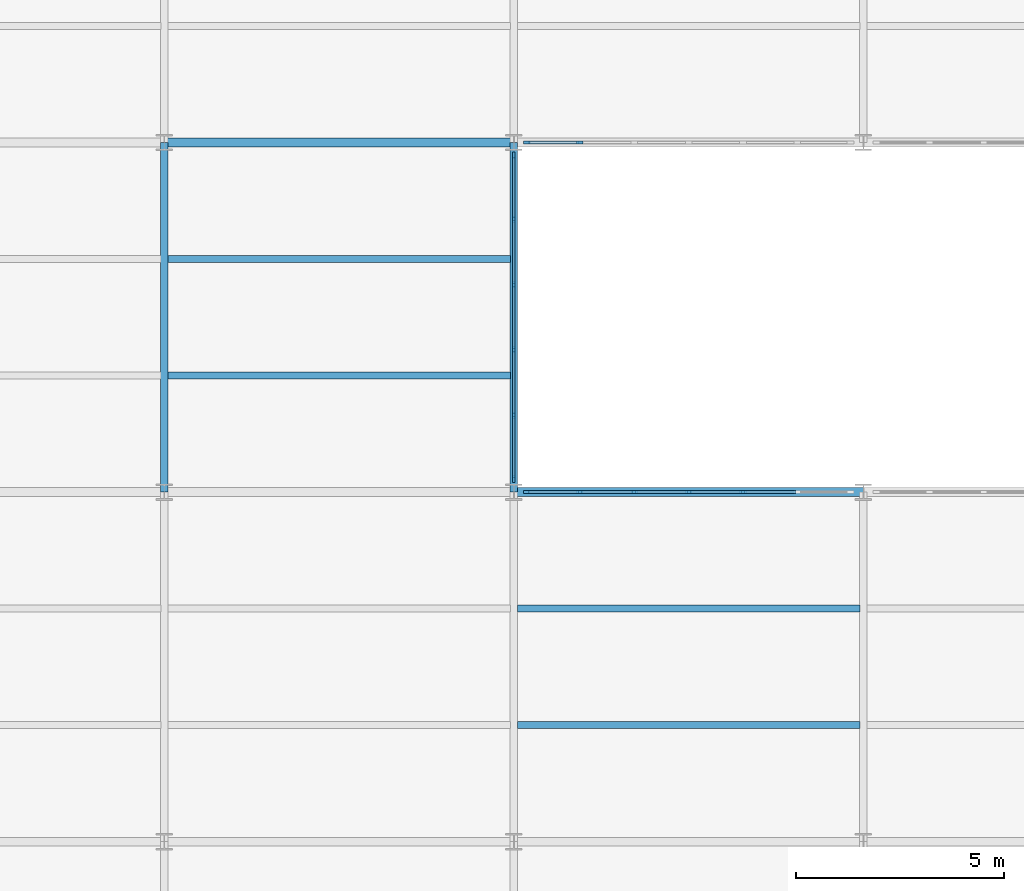
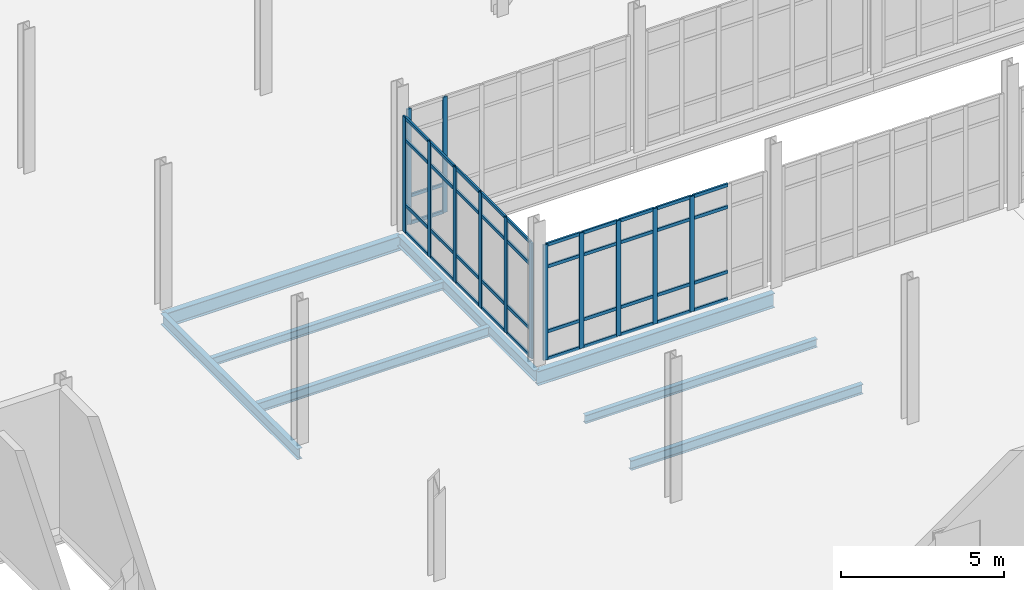
# One storey, part 30 of 111: 55 members, 8 beams, 3 elements without a shape of their own.
"""IFC4 building model written with IfcOpenShell, lengths in metres."""

from ifc_helpers import new_model, si_unit, direction, frame, origin, origin_2d, place, context, subcontext, project, spatial, rectangle, i_section, extrude, material, layer, layer_set, material_profile, profile_set, type_object, element, aggregate, save


model = new_model("IFC4")

# Units and contexts
model_context = context("Model", 3, precision=1e-05, world=origin(), true_north=direction((0.0, 1.0)))
body_context = subcontext(model_context, "Body", "Model", "MODEL_VIEW")
ifc_project = project(units=[si_unit("LENGTHUNIT", "METRE"), si_unit("AREAUNIT", "SQUARE_METRE"), si_unit("VOLUMEUNIT", "CUBIC_METRE"), si_unit("PLANEANGLEUNIT", "RADIAN"), si_unit("MASSUNIT", "GRAM", prefix="KILO"), si_unit("THERMODYNAMICTEMPERATUREUNIT", "KELVIN"), si_unit("POWERUNIT", "WATT")], contexts=[model_context])

# Site, building, storey
site_placement = place(None, origin())
site = spatial("IfcSite", under=ifc_project, at=site_placement, CompositionType="ELEMENT")
building_placement = place(site_placement, origin())
building = spatial("IfcBuilding", under=site, at=building_placement, Name="Tembeka Court Mobility Hub", CompositionType="ELEMENT")
storey_placement = place(building_placement, origin())
storey = spatial("IfcBuildingStorey", under=building, at=storey_placement, Name="L00", CompositionType="ELEMENT", Elevation=0.0)

# Beams
ifc_material_1 = material(Name="Steel S355", Category="steel")
ifc_material_profile_1 = material_profile(ifc_material_1, i_section(OverallWidth=0.177978515625, OverallDepth=0.406005859375, WebThickness=0.0078125, FlangeThickness=0.0126953125, FilletRadius=0.01025390625, at=origin_2d()), Name="UKB 406x178x60")
ifc_profile_set_1 = profile_set([ifc_material_profile_1], Name="Steel S355")
beam_type_1 = type_object("IfcBeamType", Name="BM-B02", PredefinedType="BEAM", material=ifc_profile_set_1)
for number, where, z_axis, x_axis, name in (
    (1, (16.800048828125, 55.199951171875, -0.48291015625), (0.0, 1.0, 0.0), (-1.0, 0.0, 0.0), "Beam B02 (BM-L00-Y0191)"),
    (2, (25.199951171875, 55.199951171875, -0.48291015625), (0.0, 1.0, 0.0), (-1.0, 0.0, 0.0), "Beam B02 (BM-L00-Y0200)"),
):
    element("IfcBeam", number, at=place(storey_placement, frame(where, z_axis=z_axis, x_axis=x_axis)), inside=storey, type_object=beam_type_1, Name=name, PredefinedType="BEAM", context=body_context, shape_type="SweptSolid", body=[
        extrude(i_section(OverallWidth=0.177978515625, OverallDepth=0.406005859375, WebThickness=0.0078125, FlangeThickness=0.0126953125, FilletRadius=0.01025390625, at=origin_2d()), origin(), (0.0, 0.0, 1.0), 8.400146484375),
    ])
ifc_material_profile_2 = material_profile(ifc_material_1, i_section(OverallWidth=0.2099609375, OverallDepth=0.537109375, WebThickness=0.0107421875, FlangeThickness=0.017333984375, FilletRadius=0.0126953125, at=origin_2d()), Name="UKB 533x210x101")
ifc_profile_set_2 = profile_set([ifc_material_profile_2], Name="Steel S355")
beam_type_2 = type_object("IfcBeamType", Name="BM-G03", PredefinedType="USERDEFINED", material=ifc_profile_set_2)
beam_1_placement = place(storey_placement, frame((25.199951171875, 55.199951171875, -0.548583984375), z_axis=(1.0, 0.0, 0.0), x_axis=(0.0, 1.0, 0.0)))
element("IfcBeam", 3, at=beam_1_placement, inside=storey, type_object=beam_type_2, Name="Beam G03 (BM-L00-X0078)", ObjectType="GIRDER", PredefinedType="USERDEFINED", context=body_context, shape_type="SweptSolid", body=[
    extrude(i_section(OverallWidth=0.2099609375, OverallDepth=0.537109375, WebThickness=0.0107421875, FlangeThickness=0.017333984375, FilletRadius=0.0126953125, at=origin_2d()), origin(), (0.0, 0.0, 1.0), 8.400146484375),
])
beam_2_placement = place(storey_placement, frame((16.800048828125, 63.60009765625, -0.548583984375), z_axis=(1.0, 0.0, 0.0), x_axis=(0.0, 1.0, 0.0)))
element("IfcBeam", 4, at=beam_2_placement, inside=storey, type_object=beam_type_2, Name="Beam G03 (BM-L00-X0092)", ObjectType="GIRDER", PredefinedType="USERDEFINED", context=body_context, shape_type="SweptSolid", body=[
    extrude(i_section(OverallWidth=0.2099609375, OverallDepth=0.537109375, WebThickness=0.0107421875, FlangeThickness=0.017333984375, FilletRadius=0.0126953125, at=origin_2d()), origin(), (0.0, 0.0, 1.0), 8.39990234375),
])
ifc_material_profile_3 = material_profile(ifc_material_1, i_section(OverallWidth=0.1650390625, OverallDepth=0.303955078125, WebThickness=0.006103515625, FlangeThickness=0.01025390625, FilletRadius=0.0087890625, at=origin_2d()), Name="UKB 305x165x40")
ifc_profile_set_3 = profile_set([ifc_material_profile_3], Name="Steel S355")
beam_type_3 = type_object("IfcBeamType", Name="BM-J02", PredefinedType="JOIST", material=ifc_profile_set_3)
beam_3_placement = place(storey_placement, frame((16.884033203125, 60.800048828125, -0.431884765625), z_axis=(1.0, 0.0, 0.0), x_axis=(0.0, 1.0, 0.0)))
element("IfcBeam", 5, at=beam_3_placement, inside=storey, type_object=beam_type_3, Name="Beam J02 (JST-L00-0368)", PredefinedType="JOIST", context=body_context, shape_type="SweptSolid", body=[
    extrude(i_section(OverallWidth=0.1650390625, OverallDepth=0.303955078125, WebThickness=0.006103515625, FlangeThickness=0.01025390625, FilletRadius=0.0087890625, at=origin_2d()), origin(), (0.0, 0.0, 1.0), 8.23193359375),
])
beam_4_placement = place(storey_placement, frame((25.283935546875, 52.39990234375, -0.431884765625), z_axis=(1.0, 0.0, 0.0), x_axis=(0.0, 1.0, 0.0)))
element("IfcBeam", 6, at=beam_4_placement, inside=storey, type_object=beam_type_3, Name="Beam J02 (JST-L00-0386)", PredefinedType="JOIST", context=body_context, shape_type="SweptSolid", body=[
    extrude(i_section(OverallWidth=0.1650390625, OverallDepth=0.303955078125, WebThickness=0.006103515625, FlangeThickness=0.01025390625, FilletRadius=0.0087890625, at=origin_2d()), origin(), (0.0, 0.0, 1.0), 8.232177734375),
])
ifc_material_profile_4 = material_profile(ifc_material_1, i_section(OverallWidth=0.169921875, OverallDepth=0.360107421875, WebThickness=0.008056640625, FlangeThickness=0.0126953125, FilletRadius=0.01806640625, at=origin_2d()), Name="IPE 360")
ifc_profile_set_4 = profile_set([ifc_material_profile_4], Name="Steel S355")
beam_type_4 = type_object("IfcBeamType", Name="BM-J03", PredefinedType="JOIST", material=ifc_profile_set_4)
beam_5_placement = place(storey_placement, frame((16.884033203125, 58.0, -0.4599609375), z_axis=(1.0, 0.0, 0.0), x_axis=(0.0, 1.0, 0.0)))
element("IfcBeam", 7, at=beam_5_placement, inside=storey, type_object=beam_type_4, Name="Beam J03 (JST-L00-0367)", PredefinedType="JOIST", context=body_context, shape_type="SweptSolid", body=[
    extrude(i_section(OverallWidth=0.169921875, OverallDepth=0.360107421875, WebThickness=0.008056640625, FlangeThickness=0.0126953125, FilletRadius=0.01806640625, at=origin_2d()), origin(), (0.0, 0.0, 1.0), 8.23193359375),
])
beam_6_placement = place(storey_placement, frame((25.283935546875, 49.60009765625, -0.4599609375), z_axis=(1.0, 0.0, 0.0), x_axis=(0.0, 1.0, 0.0)))
element("IfcBeam", 8, at=beam_6_placement, inside=storey, type_object=beam_type_4, Name="Beam J03 (JST-L00-0385)", PredefinedType="JOIST", context=body_context, shape_type="SweptSolid", body=[
    extrude(i_section(OverallWidth=0.169921875, OverallDepth=0.360107421875, WebThickness=0.008056640625, FlangeThickness=0.0126953125, FilletRadius=0.01806640625, at=origin_2d()), origin(), (0.0, 0.0, 1.0), 8.232177734375),
])

# Curtain wall, members
ifc_material_2 = material(Name="Anodised aluminium 6063-T6", Category="aluminium")
ifc_layer = layer(ifc_material_2, 0.159912109375)
ifc_layer_set = layer_set([ifc_layer], Name="Anodised aluminium 6063-T6")
curtain_wall_type = type_object("IfcCurtainWallType", Name="CW-SYS01", PredefinedType="USERDEFINED", material=ifc_layer_set)
curtain_wall_1_placement = place(storey_placement, origin())
curtain_wall_1 = element("IfcCurtainWall", 9, at=curtain_wall_1_placement, inside=storey, type_object=curtain_wall_type, Name="Unitised curtain wall CW01 (CW-L00-035)", ObjectType="UNITISED GLAZING", PredefinedType="USERDEFINED")
ifc_material_profile_5 = material_profile(ifc_material_2, rectangle(XDim=0.06494140625, YDim=0.159912109375, at=origin_2d()), Name="ALU-MUL 65x160")
ifc_profile_set_5 = profile_set([ifc_material_profile_5], Name="Anodised aluminium 6063-T6")
member_type_1 = type_object("IfcMemberType", Name="CW-MUL01", PredefinedType="MULLION", material=ifc_profile_set_5)
member_1_placement = place(storey_placement, frame((25.512451171875, 55.199951171875, 0.0), z_axis=(0.0, 0.0, 1.0), x_axis=(0.0, 1.0, 0.0)))
member_1 = element("IfcMember", 10, at=member_1_placement, type_object=member_type_1, Name="CW01 mullion 1", PredefinedType="MULLION", context=body_context, shape_type="SweptSolid", body=[
    extrude(rectangle(XDim=0.06494140625, YDim=0.159912109375, at=origin_2d()), origin(), (0.0, 0.0, 1.0), 4.3349609375),
])
member_2_placement = place(storey_placement, frame((26.78662109375, 55.199951171875, 0.0), z_axis=(0.0, 0.0, 1.0), x_axis=(0.0, 1.0, 0.0)))
member_2 = element("IfcMember", 11, at=member_2_placement, type_object=member_type_1, Name="CW01 mullion 2", PredefinedType="MULLION", context=body_context, shape_type="SweptSolid", body=[
    extrude(rectangle(XDim=0.06494140625, YDim=0.159912109375, at=origin_2d()), origin(), (0.0, 0.0, 1.0), 4.3349609375),
])
member_3_placement = place(storey_placement, frame((28.09326171875, 55.199951171875, 0.0), z_axis=(0.0, 0.0, 1.0), x_axis=(0.0, 1.0, 0.0)))
member_3 = element("IfcMember", 12, at=member_3_placement, type_object=member_type_1, Name="CW01 mullion 3", PredefinedType="MULLION", context=body_context, shape_type="SweptSolid", body=[
    extrude(rectangle(XDim=0.06494140625, YDim=0.159912109375, at=origin_2d()), origin(), (0.0, 0.0, 1.0), 4.3349609375),
])
member_4_placement = place(storey_placement, frame((29.39990234375, 55.199951171875, 0.0), z_axis=(0.0, 0.0, 1.0), x_axis=(0.0, 1.0, 0.0)))
member_4 = element("IfcMember", 13, at=member_4_placement, type_object=member_type_1, Name="CW01 mullion 4", PredefinedType="MULLION", context=body_context, shape_type="SweptSolid", body=[
    extrude(rectangle(XDim=0.06494140625, YDim=0.159912109375, at=origin_2d()), origin(), (0.0, 0.0, 1.0), 4.3349609375),
])
member_5_placement = place(storey_placement, frame((30.706787109375, 55.199951171875, 0.0), z_axis=(0.0, 0.0, 1.0), x_axis=(0.0, 1.0, 0.0)))
member_5 = element("IfcMember", 14, at=member_5_placement, type_object=member_type_1, Name="CW01 mullion 5", PredefinedType="MULLION", context=body_context, shape_type="SweptSolid", body=[
    extrude(rectangle(XDim=0.06494140625, YDim=0.159912109375, at=origin_2d()), origin(), (0.0, 0.0, 1.0), 4.3349609375),
])

curtain_wall_2_placement = place(storey_placement, origin())
curtain_wall_2 = element("IfcCurtainWall", 15, at=curtain_wall_2_placement, inside=storey, type_object=curtain_wall_type, Name="Unitised curtain wall CW01 (CW-L00-036)", ObjectType="UNITISED GLAZING", PredefinedType="USERDEFINED")
member_6_placement = place(storey_placement, frame((25.512451171875, 63.60009765625, 0.0), z_axis=(0.0, 0.0, 1.0), x_axis=(0.0, 1.0, 0.0)))
member_6 = element("IfcMember", 16, at=member_6_placement, type_object=member_type_1, Name="CW01 mullion 1", PredefinedType="MULLION", context=body_context, shape_type="SweptSolid", body=[
    extrude(rectangle(XDim=0.06494140625, YDim=0.159912109375, at=origin_2d()), origin(), (0.0, 0.0, 1.0), 4.3349609375),
])
member_7_placement = place(storey_placement, frame((26.78662109375, 63.60009765625, 0.0), z_axis=(0.0, 0.0, 1.0), x_axis=(0.0, 1.0, 0.0)))
member_7 = element("IfcMember", 17, at=member_7_placement, type_object=member_type_1, Name="CW01 mullion 2", PredefinedType="MULLION", context=body_context, shape_type="SweptSolid", body=[
    extrude(rectangle(XDim=0.06494140625, YDim=0.159912109375, at=origin_2d()), origin(), (0.0, 0.0, 1.0), 4.3349609375),
])

curtain_wall_3_placement = place(storey_placement, origin())
curtain_wall_3 = element("IfcCurtainWall", 18, at=curtain_wall_3_placement, inside=storey, type_object=curtain_wall_type, Name="Unitised curtain wall CW01 (CW-L00-043)", ObjectType="UNITISED GLAZING", PredefinedType="USERDEFINED")
member_8_placement = place(storey_placement, frame((25.199951171875, 55.512451171875, 0.0), z_axis=(0.0, 0.0, 1.0), x_axis=(-1.0, 0.0, 0.0)))
member_8 = element("IfcMember", 19, at=member_8_placement, type_object=member_type_1, Name="CW01 mullion 1", PredefinedType="MULLION", context=body_context, shape_type="SweptSolid", body=[
    extrude(rectangle(XDim=0.06494140625, YDim=0.159912109375, at=origin_2d()), origin(), (0.0, 0.0, 1.0), 4.3349609375),
])
member_9_placement = place(storey_placement, frame((25.199951171875, 57.048095703125, 0.0), z_axis=(0.0, 0.0, 1.0), x_axis=(-1.0, 0.0, 0.0)))
member_9 = element("IfcMember", 20, at=member_9_placement, type_object=member_type_1, Name="CW01 mullion 2", PredefinedType="MULLION", context=body_context, shape_type="SweptSolid", body=[
    extrude(rectangle(XDim=0.06494140625, YDim=0.159912109375, at=origin_2d()), origin(), (0.0, 0.0, 1.0), 4.3349609375),
])
member_10_placement = place(storey_placement, frame((25.199951171875, 58.615966796875, 0.0), z_axis=(0.0, 0.0, 1.0), x_axis=(-1.0, 0.0, 0.0)))
member_10 = element("IfcMember", 21, at=member_10_placement, type_object=member_type_1, Name="CW01 mullion 3", PredefinedType="MULLION", context=body_context, shape_type="SweptSolid", body=[
    extrude(rectangle(XDim=0.06494140625, YDim=0.159912109375, at=origin_2d()), origin(), (0.0, 0.0, 1.0), 4.3349609375),
])
member_11_placement = place(storey_placement, frame((25.199951171875, 60.18408203125, 0.0), z_axis=(0.0, 0.0, 1.0), x_axis=(-1.0, 0.0, 0.0)))
member_11 = element("IfcMember", 22, at=member_11_placement, type_object=member_type_1, Name="CW01 mullion 4", PredefinedType="MULLION", context=body_context, shape_type="SweptSolid", body=[
    extrude(rectangle(XDim=0.06494140625, YDim=0.159912109375, at=origin_2d()), origin(), (0.0, 0.0, 1.0), 4.3349609375),
])
member_12_placement = place(storey_placement, frame((25.199951171875, 61.751953125, 0.0), z_axis=(0.0, 0.0, 1.0), x_axis=(-1.0, 0.0, 0.0)))
member_12 = element("IfcMember", 23, at=member_12_placement, type_object=member_type_1, Name="CW01 mullion 5", PredefinedType="MULLION", context=body_context, shape_type="SweptSolid", body=[
    extrude(rectangle(XDim=0.06494140625, YDim=0.159912109375, at=origin_2d()), origin(), (0.0, 0.0, 1.0), 4.3349609375),
])
member_13_placement = place(storey_placement, frame((25.199951171875, 63.28759765625, 0.0), z_axis=(0.0, 0.0, 1.0), x_axis=(-1.0, 0.0, 0.0)))
member_13 = element("IfcMember", 24, at=member_13_placement, type_object=member_type_1, Name="CW01 mullion 6", PredefinedType="MULLION", context=body_context, shape_type="SweptSolid", body=[
    extrude(rectangle(XDim=0.06494140625, YDim=0.159912109375, at=origin_2d()), origin(), (0.0, 0.0, 1.0), 4.3349609375),
])

# Member
ifc_material_profile_6 = material_profile(ifc_material_2, rectangle(XDim=0.06494140625, YDim=0.1201171875, at=origin_2d()), Name="ALU-TRN 65x120")
ifc_profile_set_6 = profile_set([ifc_material_profile_6], Name="Anodised aluminium 6063-T6")
member_type_2 = type_object("IfcMemberType", Name="CW-TRN01", PredefinedType="USERDEFINED", material=ifc_profile_set_6)
member_14_placement = place(storey_placement, frame((25.544921875, 55.199951171875, 0.032470703125), z_axis=(1.0, 0.0, 0.0), x_axis=(0.0, 1.0, 0.0)))
member_14 = element("IfcMember", 25, at=member_14_placement, type_object=member_type_2, Name="CW01 transom 1.1", ObjectType="TRANSOM", PredefinedType="USERDEFINED", context=body_context, shape_type="SweptSolid", body=[
    extrude(rectangle(XDim=0.06494140625, YDim=0.1201171875, at=origin_2d()), origin(), (0.0, 0.0, 1.0), 1.209228515625),
])

member_15_placement = place(storey_placement, frame((25.544921875, 55.199951171875, 1.050048828125), z_axis=(1.0, 0.0, 0.0), x_axis=(0.0, 1.0, 0.0)))
member_15 = element("IfcMember", 26, at=member_15_placement, type_object=member_type_2, Name="CW01 transom 1.2", ObjectType="TRANSOM", PredefinedType="USERDEFINED", context=body_context, shape_type="SweptSolid", body=[
    extrude(rectangle(XDim=0.06494140625, YDim=0.1201171875, at=origin_2d()), origin(), (0.0, 0.0, 1.0), 1.209228515625),
])

member_16_placement = place(storey_placement, frame((25.544921875, 55.199951171875, 3.485107421875), z_axis=(1.0, 0.0, 0.0), x_axis=(0.0, 1.0, 0.0)))
member_16 = element("IfcMember", 27, at=member_16_placement, type_object=member_type_2, Name="CW01 transom 1.3", ObjectType="TRANSOM", PredefinedType="USERDEFINED", context=body_context, shape_type="SweptSolid", body=[
    extrude(rectangle(XDim=0.06494140625, YDim=0.1201171875, at=origin_2d()), origin(), (0.0, 0.0, 1.0), 1.209228515625),
])

member_17_placement = place(storey_placement, frame((25.544921875, 55.199951171875, 4.302490234375), z_axis=(1.0, 0.0, 0.0), x_axis=(0.0, 1.0, 0.0)))
member_17 = element("IfcMember", 28, at=member_17_placement, type_object=member_type_2, Name="CW01 transom 1.4", ObjectType="TRANSOM", PredefinedType="USERDEFINED", context=body_context, shape_type="SweptSolid", body=[
    extrude(rectangle(XDim=0.06494140625, YDim=0.1201171875, at=origin_2d()), origin(), (0.0, 0.0, 1.0), 1.209228515625),
])

member_18_placement = place(storey_placement, frame((26.819091796875, 55.199951171875, 0.032470703125), z_axis=(1.0, 0.0, 0.0), x_axis=(0.0, 1.0, 0.0)))
member_18 = element("IfcMember", 29, at=member_18_placement, type_object=member_type_2, Name="CW01 transom 2.1", ObjectType="TRANSOM", PredefinedType="USERDEFINED", context=body_context, shape_type="SweptSolid", body=[
    extrude(rectangle(XDim=0.06494140625, YDim=0.1201171875, at=origin_2d()), origin(), (0.0, 0.0, 1.0), 1.24169921875),
])

member_19_placement = place(storey_placement, frame((26.819091796875, 55.199951171875, 1.050048828125), z_axis=(1.0, 0.0, 0.0), x_axis=(0.0, 1.0, 0.0)))
member_19 = element("IfcMember", 30, at=member_19_placement, type_object=member_type_2, Name="CW01 transom 2.2", ObjectType="TRANSOM", PredefinedType="USERDEFINED", context=body_context, shape_type="SweptSolid", body=[
    extrude(rectangle(XDim=0.06494140625, YDim=0.1201171875, at=origin_2d()), origin(), (0.0, 0.0, 1.0), 1.24169921875),
])

member_20_placement = place(storey_placement, frame((26.819091796875, 55.199951171875, 3.485107421875), z_axis=(1.0, 0.0, 0.0), x_axis=(0.0, 1.0, 0.0)))
member_20 = element("IfcMember", 31, at=member_20_placement, type_object=member_type_2, Name="CW01 transom 2.3", ObjectType="TRANSOM", PredefinedType="USERDEFINED", context=body_context, shape_type="SweptSolid", body=[
    extrude(rectangle(XDim=0.06494140625, YDim=0.1201171875, at=origin_2d()), origin(), (0.0, 0.0, 1.0), 1.24169921875),
])

member_21_placement = place(storey_placement, frame((26.819091796875, 55.199951171875, 4.302490234375), z_axis=(1.0, 0.0, 0.0), x_axis=(0.0, 1.0, 0.0)))
member_21 = element("IfcMember", 32, at=member_21_placement, type_object=member_type_2, Name="CW01 transom 2.4", ObjectType="TRANSOM", PredefinedType="USERDEFINED", context=body_context, shape_type="SweptSolid", body=[
    extrude(rectangle(XDim=0.06494140625, YDim=0.1201171875, at=origin_2d()), origin(), (0.0, 0.0, 1.0), 1.24169921875),
])

member_22_placement = place(storey_placement, frame((28.125732421875, 55.199951171875, 0.032470703125), z_axis=(1.0, 0.0, 0.0), x_axis=(0.0, 1.0, 0.0)))
member_22 = element("IfcMember", 33, at=member_22_placement, type_object=member_type_2, Name="CW01 transom 3.1", ObjectType="TRANSOM", PredefinedType="USERDEFINED", context=body_context, shape_type="SweptSolid", body=[
    extrude(rectangle(XDim=0.06494140625, YDim=0.1201171875, at=origin_2d()), origin(), (0.0, 0.0, 1.0), 1.24169921875),
])

member_23_placement = place(storey_placement, frame((28.125732421875, 55.199951171875, 1.050048828125), z_axis=(1.0, 0.0, 0.0), x_axis=(0.0, 1.0, 0.0)))
member_23 = element("IfcMember", 34, at=member_23_placement, type_object=member_type_2, Name="CW01 transom 3.2", ObjectType="TRANSOM", PredefinedType="USERDEFINED", context=body_context, shape_type="SweptSolid", body=[
    extrude(rectangle(XDim=0.06494140625, YDim=0.1201171875, at=origin_2d()), origin(), (0.0, 0.0, 1.0), 1.24169921875),
])

member_24_placement = place(storey_placement, frame((28.125732421875, 55.199951171875, 3.485107421875), z_axis=(1.0, 0.0, 0.0), x_axis=(0.0, 1.0, 0.0)))
member_24 = element("IfcMember", 35, at=member_24_placement, type_object=member_type_2, Name="CW01 transom 3.3", ObjectType="TRANSOM", PredefinedType="USERDEFINED", context=body_context, shape_type="SweptSolid", body=[
    extrude(rectangle(XDim=0.06494140625, YDim=0.1201171875, at=origin_2d()), origin(), (0.0, 0.0, 1.0), 1.24169921875),
])

member_25_placement = place(storey_placement, frame((28.125732421875, 55.199951171875, 4.302490234375), z_axis=(1.0, 0.0, 0.0), x_axis=(0.0, 1.0, 0.0)))
member_25 = element("IfcMember", 36, at=member_25_placement, type_object=member_type_2, Name="CW01 transom 3.4", ObjectType="TRANSOM", PredefinedType="USERDEFINED", context=body_context, shape_type="SweptSolid", body=[
    extrude(rectangle(XDim=0.06494140625, YDim=0.1201171875, at=origin_2d()), origin(), (0.0, 0.0, 1.0), 1.24169921875),
])

member_26_placement = place(storey_placement, frame((29.4326171875, 55.199951171875, 0.032470703125), z_axis=(1.0, 0.0, 0.0), x_axis=(0.0, 1.0, 0.0)))
member_26 = element("IfcMember", 37, at=member_26_placement, type_object=member_type_2, Name="CW01 transom 4.1", ObjectType="TRANSOM", PredefinedType="USERDEFINED", context=body_context, shape_type="SweptSolid", body=[
    extrude(rectangle(XDim=0.06494140625, YDim=0.1201171875, at=origin_2d()), origin(), (0.0, 0.0, 1.0), 1.241455078125),
])

member_27_placement = place(storey_placement, frame((29.4326171875, 55.199951171875, 1.050048828125), z_axis=(1.0, 0.0, 0.0), x_axis=(0.0, 1.0, 0.0)))
member_27 = element("IfcMember", 38, at=member_27_placement, type_object=member_type_2, Name="CW01 transom 4.2", ObjectType="TRANSOM", PredefinedType="USERDEFINED", context=body_context, shape_type="SweptSolid", body=[
    extrude(rectangle(XDim=0.06494140625, YDim=0.1201171875, at=origin_2d()), origin(), (0.0, 0.0, 1.0), 1.241455078125),
])

member_28_placement = place(storey_placement, frame((29.4326171875, 55.199951171875, 3.485107421875), z_axis=(1.0, 0.0, 0.0), x_axis=(0.0, 1.0, 0.0)))
member_28 = element("IfcMember", 39, at=member_28_placement, type_object=member_type_2, Name="CW01 transom 4.3", ObjectType="TRANSOM", PredefinedType="USERDEFINED", context=body_context, shape_type="SweptSolid", body=[
    extrude(rectangle(XDim=0.06494140625, YDim=0.1201171875, at=origin_2d()), origin(), (0.0, 0.0, 1.0), 1.241455078125),
])

member_29_placement = place(storey_placement, frame((29.4326171875, 55.199951171875, 4.302490234375), z_axis=(1.0, 0.0, 0.0), x_axis=(0.0, 1.0, 0.0)))
member_29 = element("IfcMember", 40, at=member_29_placement, type_object=member_type_2, Name="CW01 transom 4.4", ObjectType="TRANSOM", PredefinedType="USERDEFINED", context=body_context, shape_type="SweptSolid", body=[
    extrude(rectangle(XDim=0.06494140625, YDim=0.1201171875, at=origin_2d()), origin(), (0.0, 0.0, 1.0), 1.241455078125),
])

member_30_placement = place(storey_placement, frame((30.7392578125, 55.199951171875, 0.032470703125), z_axis=(1.0, 0.0, 0.0), x_axis=(0.0, 1.0, 0.0)))
member_30 = element("IfcMember", 41, at=member_30_placement, type_object=member_type_2, Name="CW01 transom 5.1", ObjectType="TRANSOM", PredefinedType="USERDEFINED", context=body_context, shape_type="SweptSolid", body=[
    extrude(rectangle(XDim=0.06494140625, YDim=0.1201171875, at=origin_2d()), origin(), (0.0, 0.0, 1.0), 1.241455078125),
])

member_31_placement = place(storey_placement, frame((30.7392578125, 55.199951171875, 1.050048828125), z_axis=(1.0, 0.0, 0.0), x_axis=(0.0, 1.0, 0.0)))
member_31 = element("IfcMember", 42, at=member_31_placement, type_object=member_type_2, Name="CW01 transom 5.2", ObjectType="TRANSOM", PredefinedType="USERDEFINED", context=body_context, shape_type="SweptSolid", body=[
    extrude(rectangle(XDim=0.06494140625, YDim=0.1201171875, at=origin_2d()), origin(), (0.0, 0.0, 1.0), 1.241455078125),
])

member_32_placement = place(storey_placement, frame((30.7392578125, 55.199951171875, 3.485107421875), z_axis=(1.0, 0.0, 0.0), x_axis=(0.0, 1.0, 0.0)))
member_32 = element("IfcMember", 43, at=member_32_placement, type_object=member_type_2, Name="CW01 transom 5.3", ObjectType="TRANSOM", PredefinedType="USERDEFINED", context=body_context, shape_type="SweptSolid", body=[
    extrude(rectangle(XDim=0.06494140625, YDim=0.1201171875, at=origin_2d()), origin(), (0.0, 0.0, 1.0), 1.241455078125),
])

member_33_placement = place(storey_placement, frame((30.7392578125, 55.199951171875, 4.302490234375), z_axis=(1.0, 0.0, 0.0), x_axis=(0.0, 1.0, 0.0)))
member_33 = element("IfcMember", 44, at=member_33_placement, type_object=member_type_2, Name="CW01 transom 5.4", ObjectType="TRANSOM", PredefinedType="USERDEFINED", context=body_context, shape_type="SweptSolid", body=[
    extrude(rectangle(XDim=0.06494140625, YDim=0.1201171875, at=origin_2d()), origin(), (0.0, 0.0, 1.0), 1.241455078125),
])

aggregate(curtain_wall_1, [member_1, member_2, member_3, member_4, member_5, member_14, member_15, member_16, member_17, member_18, member_19, member_20, member_21, member_22, member_23, member_24, member_25, member_26, member_27, member_28, member_29, member_30, member_31, member_32, member_33])

member_34_placement = place(storey_placement, frame((25.544921875, 63.60009765625, 0.032470703125), z_axis=(1.0, 0.0, 0.0), x_axis=(0.0, 1.0, 0.0)))
member_34 = element("IfcMember", 45, at=member_34_placement, type_object=member_type_2, Name="CW01 transom 1.1", ObjectType="TRANSOM", PredefinedType="USERDEFINED", context=body_context, shape_type="SweptSolid", body=[
    extrude(rectangle(XDim=0.06494140625, YDim=0.1201171875, at=origin_2d()), origin(), (0.0, 0.0, 1.0), 1.209228515625),
])

member_35_placement = place(storey_placement, frame((25.544921875, 63.60009765625, 1.050048828125), z_axis=(1.0, 0.0, 0.0), x_axis=(0.0, 1.0, 0.0)))
member_35 = element("IfcMember", 46, at=member_35_placement, type_object=member_type_2, Name="CW01 transom 1.2", ObjectType="TRANSOM", PredefinedType="USERDEFINED", context=body_context, shape_type="SweptSolid", body=[
    extrude(rectangle(XDim=0.06494140625, YDim=0.1201171875, at=origin_2d()), origin(), (0.0, 0.0, 1.0), 1.209228515625),
])

aggregate(curtain_wall_2, [member_6, member_7, member_34, member_35])

member_36_placement = place(storey_placement, frame((25.199951171875, 55.544921875, 0.032470703125), z_axis=(0.0, 1.0, 0.0), x_axis=(-1.0, 0.0, 0.0)))
member_36 = element("IfcMember", 47, at=member_36_placement, type_object=member_type_2, Name="CW01 transom 1.1", ObjectType="TRANSOM", PredefinedType="USERDEFINED", context=body_context, shape_type="SweptSolid", body=[
    extrude(rectangle(XDim=0.06494140625, YDim=0.1201171875, at=origin_2d()), origin(), (0.0, 0.0, 1.0), 1.470458984375),
])

member_37_placement = place(storey_placement, frame((25.199951171875, 55.544921875, 1.050048828125), z_axis=(0.0, 1.0, 0.0), x_axis=(-1.0, 0.0, 0.0)))
member_37 = element("IfcMember", 48, at=member_37_placement, type_object=member_type_2, Name="CW01 transom 1.2", ObjectType="TRANSOM", PredefinedType="USERDEFINED", context=body_context, shape_type="SweptSolid", body=[
    extrude(rectangle(XDim=0.06494140625, YDim=0.1201171875, at=origin_2d()), origin(), (0.0, 0.0, 1.0), 1.470458984375),
])

member_38_placement = place(storey_placement, frame((25.199951171875, 55.544921875, 3.485107421875), z_axis=(0.0, 1.0, 0.0), x_axis=(-1.0, 0.0, 0.0)))
member_38 = element("IfcMember", 49, at=member_38_placement, type_object=member_type_2, Name="CW01 transom 1.3", ObjectType="TRANSOM", PredefinedType="USERDEFINED", context=body_context, shape_type="SweptSolid", body=[
    extrude(rectangle(XDim=0.06494140625, YDim=0.1201171875, at=origin_2d()), origin(), (0.0, 0.0, 1.0), 1.470458984375),
])

member_39_placement = place(storey_placement, frame((25.199951171875, 55.544921875, 4.302490234375), z_axis=(0.0, 1.0, 0.0), x_axis=(-1.0, 0.0, 0.0)))
member_39 = element("IfcMember", 50, at=member_39_placement, type_object=member_type_2, Name="CW01 transom 1.4", ObjectType="TRANSOM", PredefinedType="USERDEFINED", context=body_context, shape_type="SweptSolid", body=[
    extrude(rectangle(XDim=0.06494140625, YDim=0.1201171875, at=origin_2d()), origin(), (0.0, 0.0, 1.0), 1.470458984375),
])

member_40_placement = place(storey_placement, frame((25.199951171875, 57.08056640625, 0.032470703125), z_axis=(0.0, 1.0, 0.0), x_axis=(-1.0, 0.0, 0.0)))
member_40 = element("IfcMember", 51, at=member_40_placement, type_object=member_type_2, Name="CW01 transom 2.1", ObjectType="TRANSOM", PredefinedType="USERDEFINED", context=body_context, shape_type="SweptSolid", body=[
    extrude(rectangle(XDim=0.06494140625, YDim=0.1201171875, at=origin_2d()), origin(), (0.0, 0.0, 1.0), 1.5029296875),
])

member_41_placement = place(storey_placement, frame((25.199951171875, 57.08056640625, 1.050048828125), z_axis=(0.0, 1.0, 0.0), x_axis=(-1.0, 0.0, 0.0)))
member_41 = element("IfcMember", 52, at=member_41_placement, type_object=member_type_2, Name="CW01 transom 2.2", ObjectType="TRANSOM", PredefinedType="USERDEFINED", context=body_context, shape_type="SweptSolid", body=[
    extrude(rectangle(XDim=0.06494140625, YDim=0.1201171875, at=origin_2d()), origin(), (0.0, 0.0, 1.0), 1.5029296875),
])

member_42_placement = place(storey_placement, frame((25.199951171875, 57.08056640625, 3.485107421875), z_axis=(0.0, 1.0, 0.0), x_axis=(-1.0, 0.0, 0.0)))
member_42 = element("IfcMember", 53, at=member_42_placement, type_object=member_type_2, Name="CW01 transom 2.3", ObjectType="TRANSOM", PredefinedType="USERDEFINED", context=body_context, shape_type="SweptSolid", body=[
    extrude(rectangle(XDim=0.06494140625, YDim=0.1201171875, at=origin_2d()), origin(), (0.0, 0.0, 1.0), 1.5029296875),
])

member_43_placement = place(storey_placement, frame((25.199951171875, 57.08056640625, 4.302490234375), z_axis=(0.0, 1.0, 0.0), x_axis=(-1.0, 0.0, 0.0)))
member_43 = element("IfcMember", 54, at=member_43_placement, type_object=member_type_2, Name="CW01 transom 2.4", ObjectType="TRANSOM", PredefinedType="USERDEFINED", context=body_context, shape_type="SweptSolid", body=[
    extrude(rectangle(XDim=0.06494140625, YDim=0.1201171875, at=origin_2d()), origin(), (0.0, 0.0, 1.0), 1.5029296875),
])

member_44_placement = place(storey_placement, frame((25.199951171875, 58.6484375, 0.032470703125), z_axis=(0.0, 1.0, 0.0), x_axis=(-1.0, 0.0, 0.0)))
member_44 = element("IfcMember", 55, at=member_44_placement, type_object=member_type_2, Name="CW01 transom 3.1", ObjectType="TRANSOM", PredefinedType="USERDEFINED", context=body_context, shape_type="SweptSolid", body=[
    extrude(rectangle(XDim=0.06494140625, YDim=0.1201171875, at=origin_2d()), origin(), (0.0, 0.0, 1.0), 1.503173828125),
])

member_45_placement = place(storey_placement, frame((25.199951171875, 58.6484375, 1.050048828125), z_axis=(0.0, 1.0, 0.0), x_axis=(-1.0, 0.0, 0.0)))
member_45 = element("IfcMember", 56, at=member_45_placement, type_object=member_type_2, Name="CW01 transom 3.2", ObjectType="TRANSOM", PredefinedType="USERDEFINED", context=body_context, shape_type="SweptSolid", body=[
    extrude(rectangle(XDim=0.06494140625, YDim=0.1201171875, at=origin_2d()), origin(), (0.0, 0.0, 1.0), 1.503173828125),
])

member_46_placement = place(storey_placement, frame((25.199951171875, 58.6484375, 3.485107421875), z_axis=(0.0, 1.0, 0.0), x_axis=(-1.0, 0.0, 0.0)))
member_46 = element("IfcMember", 57, at=member_46_placement, type_object=member_type_2, Name="CW01 transom 3.3", ObjectType="TRANSOM", PredefinedType="USERDEFINED", context=body_context, shape_type="SweptSolid", body=[
    extrude(rectangle(XDim=0.06494140625, YDim=0.1201171875, at=origin_2d()), origin(), (0.0, 0.0, 1.0), 1.503173828125),
])

member_47_placement = place(storey_placement, frame((25.199951171875, 58.6484375, 4.302490234375), z_axis=(0.0, 1.0, 0.0), x_axis=(-1.0, 0.0, 0.0)))
member_47 = element("IfcMember", 58, at=member_47_placement, type_object=member_type_2, Name="CW01 transom 3.4", ObjectType="TRANSOM", PredefinedType="USERDEFINED", context=body_context, shape_type="SweptSolid", body=[
    extrude(rectangle(XDim=0.06494140625, YDim=0.1201171875, at=origin_2d()), origin(), (0.0, 0.0, 1.0), 1.503173828125),
])

member_48_placement = place(storey_placement, frame((25.199951171875, 60.216552734375, 0.032470703125), z_axis=(0.0, 1.0, 0.0), x_axis=(-1.0, 0.0, 0.0)))
member_48 = element("IfcMember", 59, at=member_48_placement, type_object=member_type_2, Name="CW01 transom 4.1", ObjectType="TRANSOM", PredefinedType="USERDEFINED", context=body_context, shape_type="SweptSolid", body=[
    extrude(rectangle(XDim=0.06494140625, YDim=0.1201171875, at=origin_2d()), origin(), (0.0, 0.0, 1.0), 1.5029296875),
])

member_49_placement = place(storey_placement, frame((25.199951171875, 60.216552734375, 1.050048828125), z_axis=(0.0, 1.0, 0.0), x_axis=(-1.0, 0.0, 0.0)))
member_49 = element("IfcMember", 60, at=member_49_placement, type_object=member_type_2, Name="CW01 transom 4.2", ObjectType="TRANSOM", PredefinedType="USERDEFINED", context=body_context, shape_type="SweptSolid", body=[
    extrude(rectangle(XDim=0.06494140625, YDim=0.1201171875, at=origin_2d()), origin(), (0.0, 0.0, 1.0), 1.5029296875),
])

member_50_placement = place(storey_placement, frame((25.199951171875, 60.216552734375, 3.485107421875), z_axis=(0.0, 1.0, 0.0), x_axis=(-1.0, 0.0, 0.0)))
member_50 = element("IfcMember", 61, at=member_50_placement, type_object=member_type_2, Name="CW01 transom 4.3", ObjectType="TRANSOM", PredefinedType="USERDEFINED", context=body_context, shape_type="SweptSolid", body=[
    extrude(rectangle(XDim=0.06494140625, YDim=0.1201171875, at=origin_2d()), origin(), (0.0, 0.0, 1.0), 1.5029296875),
])

member_51_placement = place(storey_placement, frame((25.199951171875, 60.216552734375, 4.302490234375), z_axis=(0.0, 1.0, 0.0), x_axis=(-1.0, 0.0, 0.0)))
member_51 = element("IfcMember", 62, at=member_51_placement, type_object=member_type_2, Name="CW01 transom 4.4", ObjectType="TRANSOM", PredefinedType="USERDEFINED", context=body_context, shape_type="SweptSolid", body=[
    extrude(rectangle(XDim=0.06494140625, YDim=0.1201171875, at=origin_2d()), origin(), (0.0, 0.0, 1.0), 1.5029296875),
])

member_52_placement = place(storey_placement, frame((25.199951171875, 61.784423828125, 0.032470703125), z_axis=(0.0, 1.0, 0.0), x_axis=(-1.0, 0.0, 0.0)))
member_52 = element("IfcMember", 63, at=member_52_placement, type_object=member_type_2, Name="CW01 transom 5.1", ObjectType="TRANSOM", PredefinedType="USERDEFINED", context=body_context, shape_type="SweptSolid", body=[
    extrude(rectangle(XDim=0.06494140625, YDim=0.1201171875, at=origin_2d()), origin(), (0.0, 0.0, 1.0), 1.470458984375),
])

member_53_placement = place(storey_placement, frame((25.199951171875, 61.784423828125, 1.050048828125), z_axis=(0.0, 1.0, 0.0), x_axis=(-1.0, 0.0, 0.0)))
member_53 = element("IfcMember", 64, at=member_53_placement, type_object=member_type_2, Name="CW01 transom 5.2", ObjectType="TRANSOM", PredefinedType="USERDEFINED", context=body_context, shape_type="SweptSolid", body=[
    extrude(rectangle(XDim=0.06494140625, YDim=0.1201171875, at=origin_2d()), origin(), (0.0, 0.0, 1.0), 1.470458984375),
])

member_54_placement = place(storey_placement, frame((25.199951171875, 61.784423828125, 3.485107421875), z_axis=(0.0, 1.0, 0.0), x_axis=(-1.0, 0.0, 0.0)))
member_54 = element("IfcMember", 65, at=member_54_placement, type_object=member_type_2, Name="CW01 transom 5.3", ObjectType="TRANSOM", PredefinedType="USERDEFINED", context=body_context, shape_type="SweptSolid", body=[
    extrude(rectangle(XDim=0.06494140625, YDim=0.1201171875, at=origin_2d()), origin(), (0.0, 0.0, 1.0), 1.470458984375),
])

member_55_placement = place(storey_placement, frame((25.199951171875, 61.784423828125, 4.302490234375), z_axis=(0.0, 1.0, 0.0), x_axis=(-1.0, 0.0, 0.0)))
member_55 = element("IfcMember", 66, at=member_55_placement, type_object=member_type_2, Name="CW01 transom 5.4", ObjectType="TRANSOM", PredefinedType="USERDEFINED", context=body_context, shape_type="SweptSolid", body=[
    extrude(rectangle(XDim=0.06494140625, YDim=0.1201171875, at=origin_2d()), origin(), (0.0, 0.0, 1.0), 1.470458984375),
])

aggregate(curtain_wall_3, [member_8, member_9, member_10, member_11, member_12, member_13, member_36, member_37, member_38, member_39, member_40, member_41, member_42, member_43, member_44, member_45, member_46, member_47, member_48, member_49, member_50, member_51, member_52, member_53, member_54, member_55])

save(model, "model.ifc")
